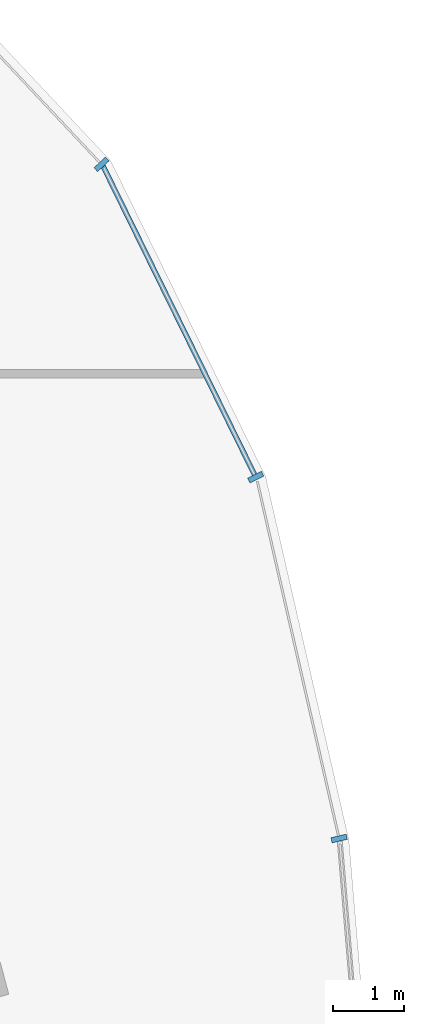
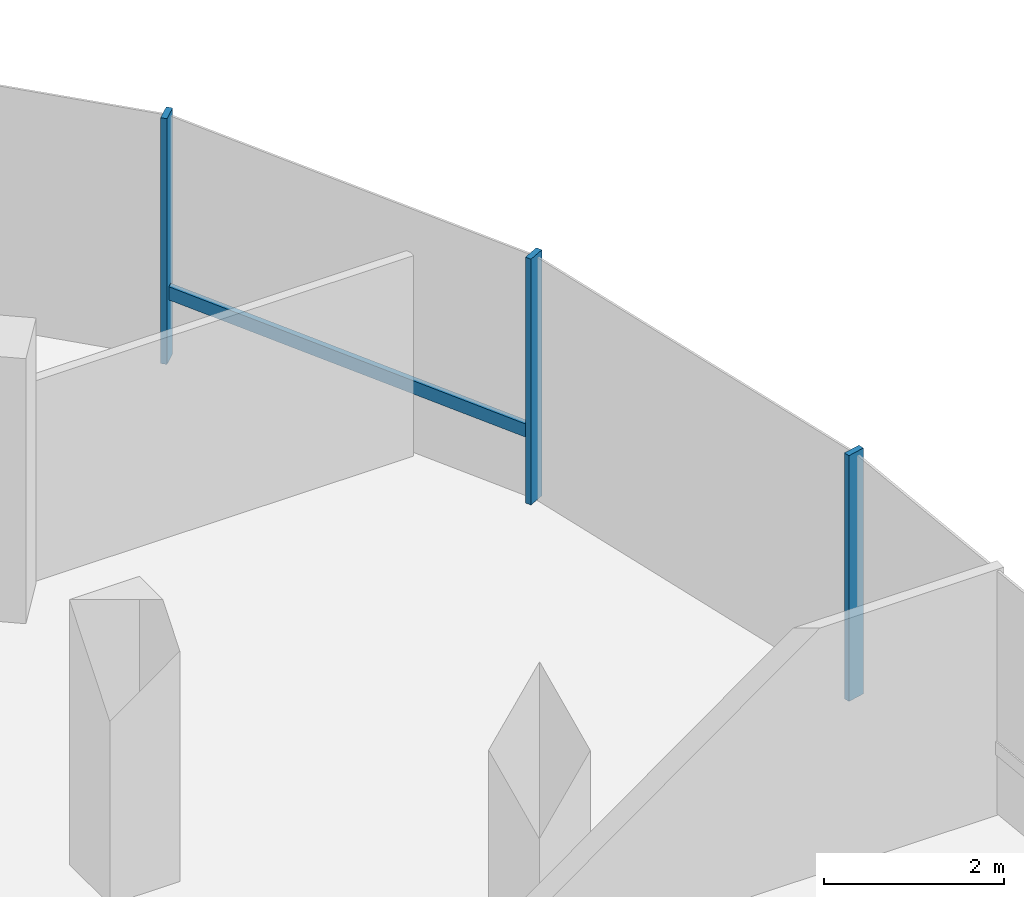
# One storey, part 11 of 26: 4 members, 1 element without a shape of its own.
"""IFC4 building model written with IfcOpenShell, lengths in metres."""

from ifc_helpers import new_model, si_unit, direction, frame, origin, origin_2d, place, context, subcontext, project, spatial, rectangle, extrude, material, material_profile, profile_set, type_object, element, aggregate, save


model = new_model("IFC4")

# Units and contexts
model_context = context("Model", 3, precision=1e-05, world=origin(), true_north=direction((0.0, 1.0)))
body_context = subcontext(model_context, "Body", "Model", "MODEL_VIEW")
ifc_project = project(units=[si_unit("LENGTHUNIT", "METRE"), si_unit("AREAUNIT", "SQUARE_METRE"), si_unit("VOLUMEUNIT", "CUBIC_METRE"), si_unit("PLANEANGLEUNIT", "RADIAN"), si_unit("MASSUNIT", "GRAM", prefix="KILO"), si_unit("THERMODYNAMICTEMPERATUREUNIT", "KELVIN"), si_unit("POWERUNIT", "WATT")], contexts=[model_context])

# Site, building, storey
site_placement = place(None, origin())
site = spatial("IfcSite", under=ifc_project, at=site_placement, CompositionType="ELEMENT")
building_placement = place(site_placement, origin())
building = spatial("IfcBuilding", under=site, at=building_placement, Name="Cundina Bronze Exchange", CompositionType="ELEMENT")
storey_placement = place(building_placement, frame((0.0, 0.0, 261.199951171875)))
storey = spatial("IfcBuildingStorey", under=building, at=storey_placement, Name="L69", CompositionType="ELEMENT", Elevation=261.199951171875)

# Curtain wall, members
ifc_material = material(Name="Anodised Bronze Aluminium 6063-T6", Category="aluminium")
curtain_wall_type = type_object("IfcCurtainWallType", Name="CWS-SKG-BRG", PredefinedType="NOTDEFINED", material=ifc_material)
curtain_wall_placement = place(storey_placement, origin())
curtain_wall = element("IfcCurtainWall", 1, at=curtain_wall_placement, inside=storey, type_object=curtain_wall_type, Name="L69 CW-06 Curtain Wall Run CWR-L69-E1", PredefinedType="NOTDEFINED")
ifc_material_profile_1 = material_profile(ifc_material, rectangle(XDim=0.074951171875, YDim=0.219970703125, at=origin_2d()), Name="AL75X220", Category="aluminium")
ifc_profile_set_1 = profile_set([ifc_material_profile_1], Name="Anodised Bronze Aluminium 6063-T6")
member_type_1 = type_object("IfcMemberType", Name="CWM-MUL-220", PredefinedType="MULLION", material=ifc_profile_set_1)
member_1_placement = place(storey_placement, frame((50.544677734375, 8.4111328125, 0.0), z_axis=(0.0, 0.0, 1.0), x_axis=(-0.223250116011, 0.974761194191, 0.0)))
member_1 = element("IfcMember", 2, at=member_1_placement, type_object=member_type_1, Name="CW-06 Mullion 2", PredefinedType="MULLION", context=body_context, shape_type="SweptSolid", body=[
    extrude(rectangle(XDim=0.074951171875, YDim=0.219970703125, at=origin_2d()), origin(), (0.0, 0.0, 1.0), 3.340087890625),
])
member_2_placement = place(storey_placement, frame((49.369140625, 13.50390625, 0.0), z_axis=(0.0, 0.0, 1.0), x_axis=(-0.440566004113, 0.897720221461, 0.0)))
member_2 = element("IfcMember", 3, at=member_2_placement, type_object=member_type_1, Name="CW-06 Mullion 3", PredefinedType="MULLION", context=body_context, shape_type="SweptSolid", body=[
    extrude(rectangle(XDim=0.074951171875, YDim=0.219970703125, at=origin_2d()), origin(), (0.0, 0.0, 1.0), 3.340087890625),
])
member_3_placement = place(storey_placement, frame((47.1962890625, 17.910400390625, 0.0), z_axis=(0.0, 0.0, 1.0), x_axis=(-0.684292606175, 0.729207535023, 0.0)))
member_3 = element("IfcMember", 4, at=member_3_placement, type_object=member_type_1, Name="CW-06 Mullion 4", PredefinedType="MULLION", context=body_context, shape_type="SweptSolid", body=[
    extrude(rectangle(XDim=0.074951171875, YDim=0.219970703125, at=origin_2d()), origin(), (0.0, 0.0, 1.0), 3.340087890625),
])
ifc_material_profile_2 = material_profile(ifc_material, rectangle(XDim=0.070068359375, YDim=0.179931640625, at=origin_2d()), Name="AL70X180", Category="aluminium")
ifc_profile_set_2 = profile_set([ifc_material_profile_2], Name="Anodised Bronze Aluminium 6063-T6")
member_type_2 = type_object("IfcMemberType", Name="CWM-TRN-180", PredefinedType="USERDEFINED", material=ifc_profile_set_2)
member_4_placement = place(storey_placement, frame((49.35107421875, 13.541015625, 0.920166015625), z_axis=(-0.440554408939, 0.897725911826, 0.0), x_axis=(-0.897725911826, -0.440554408939, 0.0)))
member_4 = element("IfcMember", 5, at=member_4_placement, type_object=member_type_2, Name="CW-06 Spandrel Transom 3", ObjectType="TRANSOM", PredefinedType="USERDEFINED", context=body_context, shape_type="SweptSolid", body=[
    extrude(rectangle(XDim=0.070068359375, YDim=0.179931640625, at=origin_2d()), origin(), (0.0, 0.0, 1.0), 4.848388671875),
])
aggregate(curtain_wall, [member_1, member_2, member_4, member_3])

save(model, "model.ifc")
